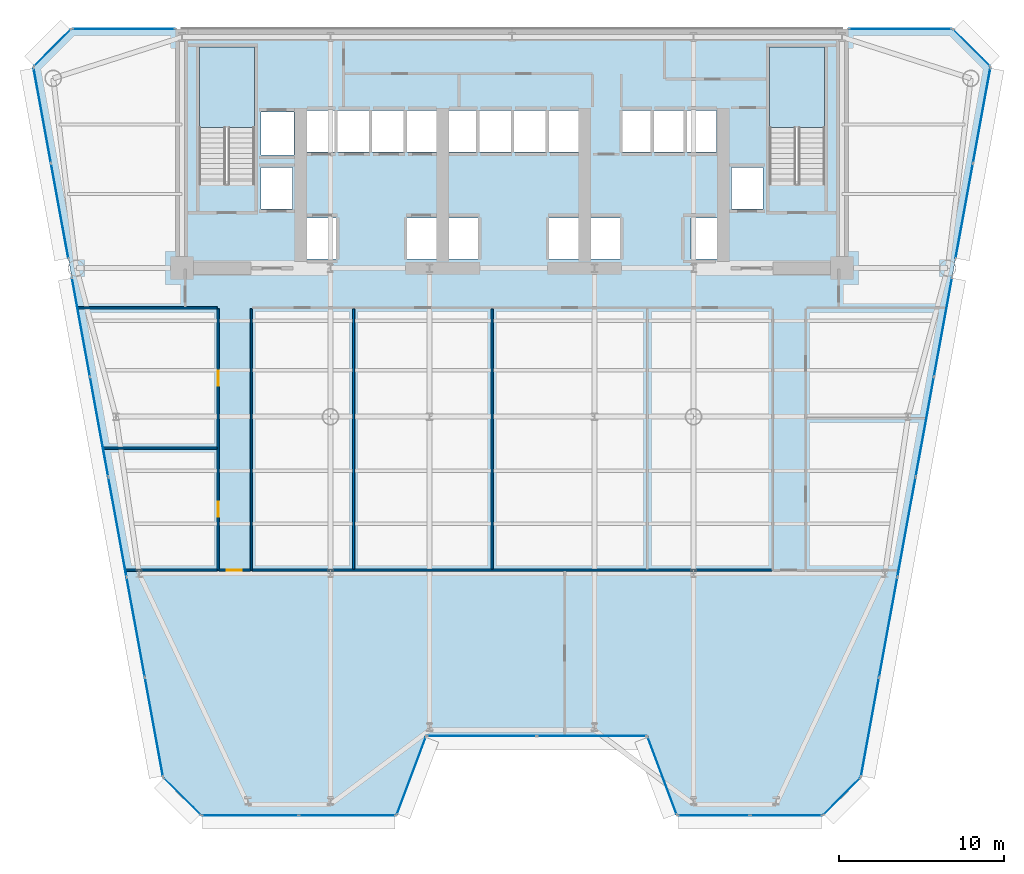
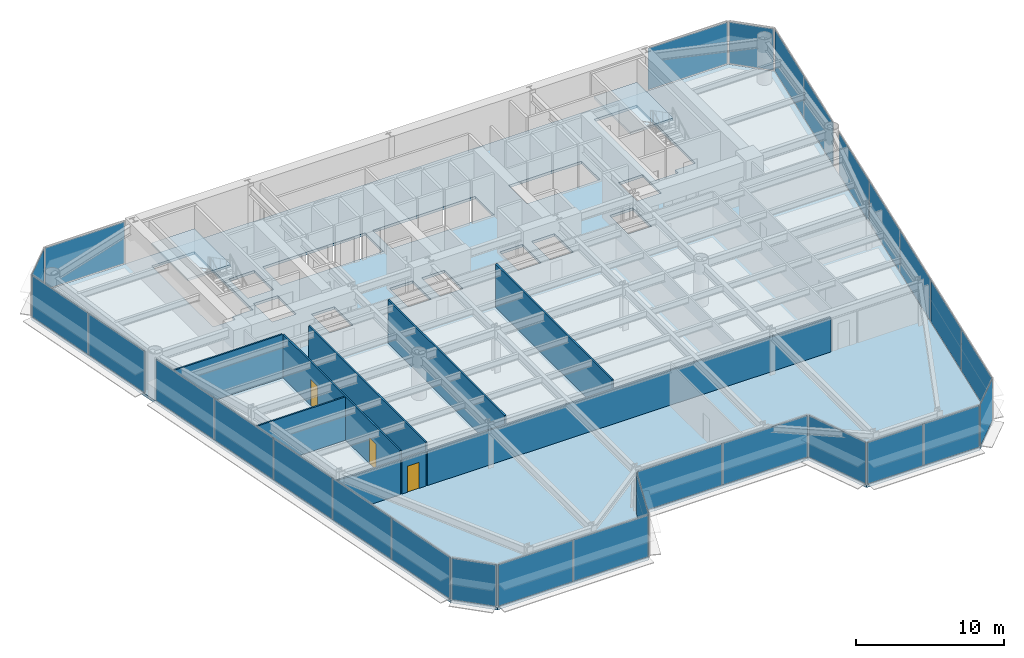
# One storey, part 7 of 14: 28 plates, 9 walls, 3 doors, 3 slabs, 3 openings, 17 elements without a shape of their own.
"""IFC4 building model written with IfcOpenShell, lengths in metres."""

from ifc_helpers import new_model, si_unit, direction, frame, frame_2d, origin, origin_2d, place, context, subcontext, project, spatial, polyline, rectangle, outline, extrude, source, transform, mapped, material, layer, layer_set, type_object, element, fill, aggregate, save


model = new_model("IFC4")

# Units and contexts
model_context = context("Model", 3, precision=1e-05, world=origin(), true_north=direction((0.0, 1.0)))
body_context = subcontext(model_context, "Body", "Model", "MODEL_VIEW")
ifc_project = project(units=[si_unit("LENGTHUNIT", "METRE"), si_unit("AREAUNIT", "SQUARE_METRE"), si_unit("VOLUMEUNIT", "CUBIC_METRE"), si_unit("PLANEANGLEUNIT", "RADIAN"), si_unit("MASSUNIT", "GRAM", prefix="KILO")], contexts=[model_context])

# Site, building, storey
site_placement = place(None, origin())
site = spatial("IfcSite", under=ifc_project, at=site_placement, CompositionType="ELEMENT")
building_placement = place(site_placement, origin())
building = spatial("IfcBuilding", under=site, at=building_placement, Name="Vaeldorn Concourse Tower", CompositionType="ELEMENT")
storey_placement = place(building_placement, frame((0.0, 0.0, 92.0)))
storey = spatial("IfcBuildingStorey", under=building, at=storey_placement, Name="L23", CompositionType="ELEMENT", Elevation=92.0)

# Stair, slab
ifc_material_1 = material(Name="Precast concrete C40/50", Category="concrete")
stair_type = type_object("IfcStairType", Name="STR-DOG-24x158", PredefinedType="HALF_TURN_STAIR", material=ifc_material_1)
stair_1_placement = place(storey_placement, origin())
stair_1 = element("IfcStair", 1, at=stair_1_placement, inside=storey, type_object=stair_type, Name="L23 West Core Exit Stair ST-1", PredefinedType="HALF_TURN_STAIR")
ifc_material_2 = material(Name="Concrete C40/50", Category="concrete")
ifc_layer_1 = layer(ifc_material_2, 0.199951171875)
ifc_layer_set_1 = layer_set([ifc_layer_1], Name="Concrete C40/50")
slab_type_1 = type_object("IfcSlabType", Name="SL-STAIR-LANDING", PredefinedType="LANDING", material=ifc_layer_set_1)
slab_1_placement = place(storey_placement, frame((0.0, 0.0, 1.699951171875)))
slab_1 = element("IfcSlab", 2, at=slab_1_placement, type_object=slab_type_1, Name="ST-1 landing 1", PredefinedType="LANDING", context=body_context, shape_type="SweptSolid", body=[
    extrude(outline(polyline([(18.39990234375, 45.010009765625), (18.39990234375, 49.89990234375), (15.050048828125, 49.89990234375), (15.050048828125, 45.010009765625), (18.39990234375, 45.010009765625)])), origin(), (0.0, 0.0, 1.0), 0.199951171875),
])
aggregate(stair_1, [slab_1])

stair_2_placement = place(storey_placement, origin())
stair_2 = element("IfcStair", 3, at=stair_2_placement, inside=storey, type_object=stair_type, Name="L23 East Core Exit Stair ST-2", PredefinedType="HALF_TURN_STAIR")
slab_2_placement = place(storey_placement, frame((0.0, 0.0, 1.699951171875)))
slab_2 = element("IfcSlab", 4, at=slab_2_placement, type_object=slab_type_1, Name="ST-2 landing 1", PredefinedType="LANDING", context=body_context, shape_type="SweptSolid", body=[
    extrude(outline(polyline([(52.949951171875, 45.010009765625), (52.949951171875, 49.89990234375), (49.60009765625, 49.89990234375), (49.60009765625, 45.010009765625), (52.949951171875, 45.010009765625)])), origin(), (0.0, 0.0, 1.0), 0.199951171875),
])
aggregate(stair_2, [slab_2])

# Slab
ifc_layer_2 = layer(ifc_material_2, 0.219970703125)
ifc_layer_set_2 = layer_set([ifc_layer_2], Name="Concrete C40/50")
slab_type_2 = type_object("IfcSlabType", Name="SL-TYP-220", PredefinedType="FLOOR", material=ifc_layer_set_2)
slab_3_placement = place(storey_placement, frame((0.0, 0.0, -0.219970703125)))
element("IfcSlab", 5, at=slab_3_placement, inside=storey, type_object=slab_type_2, Name="Structural Floor Slab L23", PredefinedType="FLOOR", context=body_context, shape_type="SweptSolid", body=[
    extrude(outline(polyline([(15.16259765625, 3.34716796875), (27.0, 3.34716796875), (28.800048828125, 8.147216796875), (42.199951171875, 8.147216796875), (44.0, 3.34716796875), (52.83740234375, 3.34716796875), (55.13720703125, 5.647216796875), (63.0, 48.699951171875), (60.699951171875, 51.0), (7.300048828125, 51.0), (5.0, 48.699951171875), (12.86279296875, 5.647216796875), (15.16259765625, 3.34716796875)]), holes=[polyline([(18.39990234375, 42.0), (18.39990234375, 49.89990234375), (15.050048828125, 49.89990234375), (15.050048828125, 41.60009765625), (16.800048828125, 41.60009765625), (16.800048828125, 42.0), (18.39990234375, 42.0)]), polyline([(52.949951171875, 42.0), (52.949951171875, 49.89990234375), (49.60009765625, 49.89990234375), (49.60009765625, 41.60009765625), (51.35009765625, 41.60009765625), (51.35009765625, 42.0), (52.949951171875, 42.0)]), polyline([(21.550048828125, 37.050048828125), (23.35009765625, 37.050048828125), (23.35009765625, 39.550048828125), (21.550048828125, 39.550048828125), (21.550048828125, 37.050048828125)]), polyline([(27.64990234375, 37.050048828125), (29.449951171875, 37.050048828125), (29.449951171875, 39.550048828125), (27.64990234375, 39.550048828125), (27.64990234375, 37.050048828125)]), polyline([(21.5, 43.550048828125), (29.5, 43.550048828125), (29.5, 46.050048828125), (21.5, 46.050048828125), (21.5, 43.550048828125)]), polyline([(30.14990234375, 37.050048828125), (31.949951171875, 37.050048828125), (31.949951171875, 39.550048828125), (30.14990234375, 39.550048828125), (30.14990234375, 37.050048828125)]), polyline([(36.25, 37.050048828125), (38.050048828125, 37.050048828125), (38.050048828125, 39.550048828125), (36.25, 39.550048828125), (36.25, 37.050048828125)]), polyline([(30.10009765625, 43.550048828125), (38.10009765625, 43.550048828125), (38.10009765625, 46.050048828125), (30.10009765625, 46.050048828125), (30.10009765625, 43.550048828125)]), polyline([(38.75, 37.050048828125), (40.550048828125, 37.050048828125), (40.550048828125, 39.550048828125), (38.75, 39.550048828125), (38.75, 37.050048828125)]), polyline([(44.85009765625, 37.050048828125), (46.64990234375, 37.050048828125), (46.64990234375, 39.550048828125), (44.85009765625, 39.550048828125), (44.85009765625, 37.050048828125)]), polyline([(40.699951171875, 43.550048828125), (46.39990234375, 43.550048828125), (46.39990234375, 46.050048828125), (40.699951171875, 46.050048828125), (40.699951171875, 43.550048828125)]), polyline([(18.800048828125, 43.35009765625), (20.800048828125, 43.35009765625), (20.800048828125, 45.949951171875), (18.800048828125, 45.949951171875), (18.800048828125, 43.35009765625)]), polyline([(18.800048828125, 40.10009765625), (20.699951171875, 40.10009765625), (20.699951171875, 42.60009765625), (18.800048828125, 42.60009765625), (18.800048828125, 40.10009765625)]), polyline([(47.300048828125, 40.10009765625), (49.199951171875, 40.10009765625), (49.199951171875, 42.60009765625), (47.300048828125, 42.60009765625), (47.300048828125, 40.10009765625)])]), origin(), (0.0, 0.0, 1.0), 0.219970703125),
])

# Curtain wall, plate
ifc_material_3 = material(Name="Anodised Bronze Aluminium", Category="aluminium")
ifc_layer_3 = layer(ifc_material_3, 0.199951171875)
ifc_layer_set_3 = layer_set([ifc_layer_3], Name="Anodised Bronze Aluminium")
curtain_wall_type = type_object("IfcCurtainWallType", Name="CW-SYS-02", PredefinedType="NOTDEFINED", material=ifc_layer_set_3)
curtain_wall_1_placement = place(storey_placement, origin())
curtain_wall_1 = element("IfcCurtainWall", 6, at=curtain_wall_1_placement, inside=storey, type_object=curtain_wall_type, Name="Unitised Curtain Wall CW-L23-E02-1", PredefinedType="NOTDEFINED")
ifc_material_4 = material(Name="Bronze Tinted Low-E Insulated Glass", Category="glass")
ifc_layer_4 = layer(ifc_material_4, 0.031982421875)
ifc_layer_set_4 = layer_set([ifc_layer_4], Name="Bronze Tinted Low-E Insulated Glass")
plate_type = type_object("IfcPlateType", Name="CWP-VISION-32", PredefinedType="CURTAIN_PANEL", material=ifc_layer_set_4)
shared_shape_1 = source(origin(), body_context, "Body", "SweptSolid", [
    extrude(rectangle(XDim=4.976318359375, YDim=0.031982421875, at=origin_2d()), origin(), (0.0, 0.0, 1.0), 3.429931640625),
])
plate_1_placement = place(storey_placement, frame((27.89990234375, 5.7470703125, 0.0751953125), z_axis=(0.0, 0.0, 1.0), x_axis=(0.351123441595, 0.936329177566, 0.0)))
plate_1 = element("IfcPlate", 7, at=plate_1_placement, type_object=plate_type, Name="CW-02 panel 1.1", PredefinedType="CURTAIN_PANEL", context=body_context, shape_type="MappedRepresentation", body=[
    mapped(shared_shape_1, transform((0.0, 0.0, 0.0), scale=1.0)),
])
aggregate(curtain_wall_1, [plate_1])

curtain_wall_2_placement = place(storey_placement, origin())
curtain_wall_2 = element("IfcCurtainWall", 8, at=curtain_wall_2_placement, inside=storey, type_object=curtain_wall_type, Name="Unitised Curtain Wall CW-L23-E04-1", PredefinedType="NOTDEFINED")
plate_2_placement = place(storey_placement, frame((43.10009765625, 5.7470703125, 0.0751953125), z_axis=(0.0, 0.0, 1.0), x_axis=(0.351123441595, -0.936329177566, 0.0)))
plate_2 = element("IfcPlate", 9, at=plate_2_placement, type_object=plate_type, Name="CW-02 panel 1.1", PredefinedType="CURTAIN_PANEL", context=body_context, shape_type="MappedRepresentation", body=[
    mapped(shared_shape_1, transform((0.0, 0.0, 0.0), scale=1.0)),
])
aggregate(curtain_wall_2, [plate_2])

# Curtain wall, plates
curtain_wall_3_placement = place(storey_placement, origin())
curtain_wall_3 = element("IfcCurtainWall", 10, at=curtain_wall_3_placement, inside=storey, type_object=curtain_wall_type, Name="Unitised Curtain Wall CW-L23-E03-1", PredefinedType="NOTDEFINED")
shared_shape_2 = source(origin(), body_context, "Body", "SweptSolid", [
    extrude(rectangle(XDim=6.58740234375, YDim=0.031982421875, at=origin_2d()), origin(), (0.0, 0.0, 1.0), 3.429931640625),
])
plate_3_placement = place(storey_placement, frame((32.168701171875, 8.147216796875, 0.0751953125), z_axis=(0.0, 0.0, 1.0), x_axis=(1.0, 0.0, 0.0)))
plate_3 = element("IfcPlate", 11, at=plate_3_placement, type_object=plate_type, Name="CW-02 panel 1.1", PredefinedType="CURTAIN_PANEL", context=body_context, shape_type="MappedRepresentation", body=[
    mapped(shared_shape_2, transform((0.0, 0.0, 0.0), scale=1.0)),
])
plate_4_placement = place(storey_placement, frame((38.831298828125, 8.147216796875, 0.0751953125), z_axis=(0.0, 0.0, 1.0), x_axis=(1.0, 0.0, 0.0)))
plate_4 = element("IfcPlate", 12, at=plate_4_placement, type_object=plate_type, Name="CW-02 panel 2.1", PredefinedType="CURTAIN_PANEL", context=body_context, shape_type="MappedRepresentation", body=[
    mapped(shared_shape_2, transform((0.0, 0.0, 0.0), scale=1.0)),
])
aggregate(curtain_wall_3, [plate_3, plate_4])

# Curtain wall, plate
curtain_wall_4_placement = place(storey_placement, origin())
curtain_wall_4 = element("IfcCurtainWall", 13, at=curtain_wall_4_placement, inside=storey, type_object=curtain_wall_type, Name="Unitised Curtain Wall CW-L23-E06-1", PredefinedType="NOTDEFINED")
shared_shape_3 = source(origin(), body_context, "Body", "SweptSolid", [
    extrude(rectangle(XDim=3.102783203125, YDim=0.031982421875, at=origin_2d()), origin(), (0.0, 0.0, 1.0), 3.429931640625),
])
plate_5_placement = place(storey_placement, frame((53.9873046875, 4.4970703125, 0.0751953125), z_axis=(0.0, 0.0, 1.0), x_axis=(0.707106781187, 0.707106781187, 0.0)))
plate_5 = element("IfcPlate", 14, at=plate_5_placement, type_object=plate_type, Name="CW-02 panel 1.1", PredefinedType="CURTAIN_PANEL", context=body_context, shape_type="MappedRepresentation", body=[
    mapped(shared_shape_3, transform((0.0, 0.0, 0.0), scale=1.0)),
])
aggregate(curtain_wall_4, [plate_5])

curtain_wall_5_placement = place(storey_placement, origin())
curtain_wall_5 = element("IfcCurtainWall", 15, at=curtain_wall_5_placement, inside=storey, type_object=curtain_wall_type, Name="Unitised Curtain Wall CW-L23-E08-1", PredefinedType="NOTDEFINED")
plate_6_placement = place(storey_placement, frame((61.85009765625, 49.85009765625, 0.0751953125), z_axis=(0.0, 0.0, 1.0), x_axis=(-0.707106781187, 0.707106781187, 0.0)))
plate_6 = element("IfcPlate", 16, at=plate_6_placement, type_object=plate_type, Name="CW-02 panel 1.1", PredefinedType="CURTAIN_PANEL", context=body_context, shape_type="MappedRepresentation", body=[
    mapped(shared_shape_3, transform((0.0, 0.0, 0.0), scale=1.0)),
])
aggregate(curtain_wall_5, [plate_6])

curtain_wall_6_placement = place(storey_placement, origin())
curtain_wall_6 = element("IfcCurtainWall", 17, at=curtain_wall_6_placement, inside=storey, type_object=curtain_wall_type, Name="Unitised Curtain Wall CW-L23-E10-1", PredefinedType="NOTDEFINED")
plate_7_placement = place(storey_placement, frame((6.14990234375, 49.85009765625, 0.0751953125), z_axis=(0.0, 0.0, 1.0), x_axis=(-0.707106781187, -0.707106781187, 0.0)))
plate_7 = element("IfcPlate", 18, at=plate_7_placement, type_object=plate_type, Name="CW-02 panel 1.1", PredefinedType="CURTAIN_PANEL", context=body_context, shape_type="MappedRepresentation", body=[
    mapped(shared_shape_3, transform((0.0, 0.0, 0.0), scale=1.0)),
])
aggregate(curtain_wall_6, [plate_7])

curtain_wall_7_placement = place(storey_placement, origin())
curtain_wall_7 = element("IfcCurtainWall", 19, at=curtain_wall_7_placement, inside=storey, type_object=curtain_wall_type, Name="Unitised Curtain Wall CW-L23-E12-1", PredefinedType="NOTDEFINED")
plate_8_placement = place(storey_placement, frame((14.0126953125, 4.4970703125, 0.0751953125), z_axis=(0.0, 0.0, 1.0), x_axis=(0.707106781187, -0.707106781187, 0.0)))
plate_8 = element("IfcPlate", 20, at=plate_8_placement, type_object=plate_type, Name="CW-02 panel 1.1", PredefinedType="CURTAIN_PANEL", context=body_context, shape_type="MappedRepresentation", body=[
    mapped(shared_shape_3, transform((0.0, 0.0, 0.0), scale=1.0)),
])
aggregate(curtain_wall_7, [plate_8])

# Curtain wall, plates
curtain_wall_8_placement = place(storey_placement, origin())
curtain_wall_8 = element("IfcCurtainWall", 21, at=curtain_wall_8_placement, inside=storey, type_object=curtain_wall_type, Name="Unitised Curtain Wall CW-L23-E01-1", PredefinedType="NOTDEFINED")
shared_shape_4 = source(origin(), body_context, "Body", "SweptSolid", [
    extrude(rectangle(XDim=5.80615234375, YDim=0.031982421875, at=origin_2d()), origin(), (0.0, 0.0, 1.0), 3.429931640625),
])
plate_9_placement = place(storey_placement, frame((18.140869140625, 3.34716796875, 0.0751953125), z_axis=(0.0, 0.0, 1.0), x_axis=(1.0, 0.0, 0.0)))
plate_9 = element("IfcPlate", 22, at=plate_9_placement, type_object=plate_type, Name="CW-02 panel 1.1", PredefinedType="CURTAIN_PANEL", context=body_context, shape_type="MappedRepresentation", body=[
    mapped(shared_shape_4, transform((0.0, 0.0, 0.0), scale=1.0)),
])
plate_10_placement = place(storey_placement, frame((24.02197265625, 3.34716796875, 0.0751953125), z_axis=(0.0, 0.0, 1.0), x_axis=(1.0, 0.0, 0.0)))
plate_10 = element("IfcPlate", 23, at=plate_10_placement, type_object=plate_type, Name="CW-02 panel 2.1", PredefinedType="CURTAIN_PANEL", context=body_context, shape_type="MappedRepresentation", body=[
    mapped(shared_shape_4, transform((0.0, 0.0, 0.0), scale=1.0)),
])
aggregate(curtain_wall_8, [plate_9, plate_10])

curtain_wall_9_placement = place(storey_placement, origin())
curtain_wall_9 = element("IfcCurtainWall", 24, at=curtain_wall_9_placement, inside=storey, type_object=curtain_wall_type, Name="Unitised Curtain Wall CW-L23-E05-1", PredefinedType="NOTDEFINED")
shared_shape_5 = source(origin(), body_context, "Body", "SweptSolid", [
    extrude(rectangle(XDim=4.30615234375, YDim=0.031982421875, at=origin_2d()), origin(), (0.0, 0.0, 1.0), 3.429931640625),
])
plate_11_placement = place(storey_placement, frame((46.22802734375, 3.34716796875, 0.0751953125), z_axis=(0.0, 0.0, 1.0), x_axis=(1.0, 0.0, 0.0)))
plate_11 = element("IfcPlate", 25, at=plate_11_placement, type_object=plate_type, Name="CW-02 panel 1.1", PredefinedType="CURTAIN_PANEL", context=body_context, shape_type="MappedRepresentation", body=[
    mapped(shared_shape_5, transform((0.0, 0.0, 0.0), scale=1.0)),
])
plate_12_placement = place(storey_placement, frame((50.609130859375, 3.34716796875, 0.0751953125), z_axis=(0.0, 0.0, 1.0), x_axis=(1.0, 0.0, 0.0)))
plate_12 = element("IfcPlate", 26, at=plate_12_placement, type_object=plate_type, Name="CW-02 panel 2.1", PredefinedType="CURTAIN_PANEL", context=body_context, shape_type="MappedRepresentation", body=[
    mapped(shared_shape_5, transform((0.0, 0.0, 0.0), scale=1.0)),
])
aggregate(curtain_wall_9, [plate_11, plate_12])

curtain_wall_10_placement = place(storey_placement, origin())
curtain_wall_10 = element("IfcCurtainWall", 27, at=curtain_wall_10_placement, inside=storey, type_object=curtain_wall_type, Name="Unitised Curtain Wall CW-L23-E07-2", PredefinedType="NOTDEFINED")
shared_shape_6 = source(origin(), body_context, "Body", "SweptSolid", [
    extrude(rectangle(XDim=5.8251953125, YDim=0.031982421875, at=origin_2d()), origin(), (0.0, 0.0, 1.0), 3.429931640625),
])
plate_13_placement = place(storey_placement, frame((61.4033203125, 39.95703125, 0.0751953125), z_axis=(0.0, 0.0, 1.0), x_axis=(0.179659768174, 0.983728808005, 0.0)))
plate_13 = element("IfcPlate", 28, at=plate_13_placement, type_object=plate_type, Name="CW-02 panel 1.1", PredefinedType="CURTAIN_PANEL", context=body_context, shape_type="MappedRepresentation", body=[
    mapped(shared_shape_6, transform((0.0, 0.0, 0.0), scale=1.0)),
])
plate_14_placement = place(storey_placement, frame((62.463134765625, 45.760986328125, 0.0751953125), z_axis=(0.0, 0.0, 1.0), x_axis=(0.179659768174, 0.983728808005, 0.0)))
plate_14 = element("IfcPlate", 29, at=plate_14_placement, type_object=plate_type, Name="CW-02 panel 2.1", PredefinedType="CURTAIN_PANEL", context=body_context, shape_type="MappedRepresentation", body=[
    mapped(shared_shape_6, transform((0.0, 0.0, 0.0), scale=1.0)),
])
aggregate(curtain_wall_10, [plate_13, plate_14])

curtain_wall_11_placement = place(storey_placement, origin())
curtain_wall_11 = element("IfcCurtainWall", 30, at=curtain_wall_11_placement, inside=storey, type_object=curtain_wall_type, Name="Unitised Curtain Wall CW-L23-E11-1", PredefinedType="NOTDEFINED")
plate_15_placement = place(storey_placement, frame((5.536865234375, 45.760986328125, 0.0751953125), z_axis=(0.0, 0.0, 1.0), x_axis=(0.179659768174, -0.983728808005, 0.0)))
plate_15 = element("IfcPlate", 31, at=plate_15_placement, type_object=plate_type, Name="CW-02 panel 1.1", PredefinedType="CURTAIN_PANEL", context=body_context, shape_type="MappedRepresentation", body=[
    mapped(shared_shape_6, transform((0.0, 0.0, 0.0), scale=1.0)),
])
plate_16_placement = place(storey_placement, frame((6.5966796875, 39.95703125, 0.0751953125), z_axis=(0.0, 0.0, 1.0), x_axis=(0.179659768174, -0.983728808005, 0.0)))
plate_16 = element("IfcPlate", 32, at=plate_16_placement, type_object=plate_type, Name="CW-02 panel 2.1", PredefinedType="CURTAIN_PANEL", context=body_context, shape_type="MappedRepresentation", body=[
    mapped(shared_shape_6, transform((0.0, 0.0, 0.0), scale=1.0)),
])
aggregate(curtain_wall_11, [plate_15, plate_16])

# Curtain wall, plate
curtain_wall_12_placement = place(storey_placement, origin())
curtain_wall_12 = element("IfcCurtainWall", 33, at=curtain_wall_12_placement, inside=storey, type_object=curtain_wall_type, Name="Unitised Curtain Wall CW-L23-E09-1", PredefinedType="NOTDEFINED")
shared_shape_7 = source(origin(), body_context, "Body", "SweptSolid", [
    extrude(rectangle(XDim=6.179931640625, YDim=0.031982421875, at=origin_2d()), origin(), (0.0, 0.0, 1.0), 3.429931640625),
])
plate_17_placement = place(storey_placement, frame((57.534912109375, 51.0, 0.0751953125), z_axis=(0.0, 0.0, 1.0), x_axis=(-1.0, 0.0, 0.0)))
plate_17 = element("IfcPlate", 34, at=plate_17_placement, type_object=plate_type, Name="CW-02 panel 1.1", PredefinedType="CURTAIN_PANEL", context=body_context, shape_type="MappedRepresentation", body=[
    mapped(shared_shape_7, transform((0.0, 0.0, 0.0), scale=1.0)),
])
aggregate(curtain_wall_12, [plate_17])

curtain_wall_13_placement = place(storey_placement, origin())
curtain_wall_13 = element("IfcCurtainWall", 35, at=curtain_wall_13_placement, inside=storey, type_object=curtain_wall_type, Name="Unitised Curtain Wall CW-L23-E09-2", PredefinedType="NOTDEFINED")
plate_18_placement = place(storey_placement, frame((10.465087890625, 51.0, 0.0751953125), z_axis=(0.0, 0.0, 1.0), x_axis=(-1.0, 0.0, 0.0)))
plate_18 = element("IfcPlate", 36, at=plate_18_placement, type_object=plate_type, Name="CW-02 panel 1.1", PredefinedType="CURTAIN_PANEL", context=body_context, shape_type="MappedRepresentation", body=[
    mapped(shared_shape_7, transform((0.0, 0.0, 0.0), scale=1.0)),
])
aggregate(curtain_wall_13, [plate_18])

# Curtain wall, plates
curtain_wall_14_placement = place(storey_placement, origin())
curtain_wall_14 = element("IfcCurtainWall", 37, at=curtain_wall_14_placement, inside=storey, type_object=curtain_wall_type, Name="Unitised Curtain Wall CW-L23-E07-1", PredefinedType="NOTDEFINED")
shared_shape_8 = source(origin(), body_context, "Body", "SweptSolid", [
    extrude(rectangle(XDim=6.054931640625, YDim=0.031982421875, at=origin_2d()), origin(), (0.0, 0.0, 1.0), 3.429931640625),
])
plate_19_placement = place(storey_placement, frame((55.694580078125, 8.698974609375, 0.0751953125), z_axis=(0.0, 0.0, 1.0), x_axis=(0.179656466224, 0.983729411039, 0.0)))
plate_19 = element("IfcPlate", 38, at=plate_19_placement, type_object=plate_type, Name="CW-02 panel 1.1", PredefinedType="CURTAIN_PANEL", context=body_context, shape_type="MappedRepresentation", body=[
    mapped(shared_shape_8, transform((0.0, 0.0, 0.0), scale=1.0)),
])
plate_20_placement = place(storey_placement, frame((60.119873046875, 32.93017578125, 0.0751953125), z_axis=(0.0, 0.0, 1.0), x_axis=(0.179656466224, 0.983729411039, 0.0)))
plate_20 = element("IfcPlate", 39, at=plate_20_placement, type_object=plate_type, Name="CW-02 panel 5.1", PredefinedType="CURTAIN_PANEL", context=body_context, shape_type="MappedRepresentation", body=[
    mapped(shared_shape_8, transform((0.0, 0.0, 0.0), scale=1.0)),
])

curtain_wall_15_placement = place(storey_placement, origin())
curtain_wall_15 = element("IfcCurtainWall", 40, at=curtain_wall_15_placement, inside=storey, type_object=curtain_wall_type, Name="Unitised Curtain Wall CW-L23-E11-2", PredefinedType="NOTDEFINED")
plate_21_placement = place(storey_placement, frame((7.880126953125, 32.93017578125, 0.0751953125), z_axis=(0.0, 0.0, 1.0), x_axis=(0.179656466224, -0.983729411039, 0.0)))
plate_21 = element("IfcPlate", 41, at=plate_21_placement, type_object=plate_type, Name="CW-02 panel 1.1", PredefinedType="CURTAIN_PANEL", context=body_context, shape_type="MappedRepresentation", body=[
    mapped(shared_shape_8, transform((0.0, 0.0, 0.0), scale=1.0)),
])
plate_22_placement = place(storey_placement, frame((12.305419921875, 8.698974609375, 0.0751953125), z_axis=(0.0, 0.0, 1.0), x_axis=(0.179656466224, -0.983729411039, 0.0)))
plate_22 = element("IfcPlate", 42, at=plate_22_placement, type_object=plate_type, Name="CW-02 panel 5.1", PredefinedType="CURTAIN_PANEL", context=body_context, shape_type="MappedRepresentation", body=[
    mapped(shared_shape_8, transform((0.0, 0.0, 0.0), scale=1.0)),
])

# Plate
shared_shape_9 = source(origin(), body_context, "Body", "SweptSolid", [
    extrude(rectangle(XDim=6.09228515625, YDim=0.031982421875, at=origin_2d()), origin(), (0.0, 0.0, 1.0), 3.429931640625),
])
plate_23_placement = place(storey_placement, frame((56.79931640625, 14.74755859375, 0.0751953125), z_axis=(0.0, 0.0, 1.0), x_axis=(0.179656466224, 0.983729411039, 0.0)))
plate_23 = element("IfcPlate", 43, at=plate_23_placement, type_object=plate_type, Name="CW-02 panel 2.1", PredefinedType="CURTAIN_PANEL", context=body_context, shape_type="MappedRepresentation", body=[
    mapped(shared_shape_9, transform((0.0, 0.0, 0.0), scale=1.0)),
])

plate_24_placement = place(storey_placement, frame((57.9072265625, 20.814453125, 0.0751953125), z_axis=(0.0, 0.0, 1.0), x_axis=(0.179656466224, 0.983729411039, 0.0)))
plate_24 = element("IfcPlate", 44, at=plate_24_placement, type_object=plate_type, Name="CW-02 panel 3.1", PredefinedType="CURTAIN_PANEL", context=body_context, shape_type="MappedRepresentation", body=[
    mapped(shared_shape_9, transform((0.0, 0.0, 0.0), scale=1.0)),
])

plate_25_placement = place(storey_placement, frame((59.015380859375, 26.881591796875, 0.0751953125), z_axis=(0.0, 0.0, 1.0), x_axis=(0.179656466224, 0.983729411039, 0.0)))
plate_25 = element("IfcPlate", 45, at=plate_25_placement, type_object=plate_type, Name="CW-02 panel 4.1", PredefinedType="CURTAIN_PANEL", context=body_context, shape_type="MappedRepresentation", body=[
    mapped(shared_shape_9, transform((0.0, 0.0, 0.0), scale=1.0)),
])

aggregate(curtain_wall_14, [plate_19, plate_23, plate_24, plate_25, plate_20])

plate_26_placement = place(storey_placement, frame((8.984619140625, 26.881591796875, 0.0751953125), z_axis=(0.0, 0.0, 1.0), x_axis=(0.179656466224, -0.983729411039, 0.0)))
plate_26 = element("IfcPlate", 46, at=plate_26_placement, type_object=plate_type, Name="CW-02 panel 2.1", PredefinedType="CURTAIN_PANEL", context=body_context, shape_type="MappedRepresentation", body=[
    mapped(shared_shape_9, transform((0.0, 0.0, 0.0), scale=1.0)),
])

plate_27_placement = place(storey_placement, frame((10.0927734375, 20.814453125, 0.0751953125), z_axis=(0.0, 0.0, 1.0), x_axis=(0.179656466224, -0.983729411039, 0.0)))
plate_27 = element("IfcPlate", 47, at=plate_27_placement, type_object=plate_type, Name="CW-02 panel 3.1", PredefinedType="CURTAIN_PANEL", context=body_context, shape_type="MappedRepresentation", body=[
    mapped(shared_shape_9, transform((0.0, 0.0, 0.0), scale=1.0)),
])

plate_28_placement = place(storey_placement, frame((11.20068359375, 14.74755859375, 0.0751953125), z_axis=(0.0, 0.0, 1.0), x_axis=(0.179656466224, -0.983729411039, 0.0)))
plate_28 = element("IfcPlate", 48, at=plate_28_placement, type_object=plate_type, Name="CW-02 panel 4.1", PredefinedType="CURTAIN_PANEL", context=body_context, shape_type="MappedRepresentation", body=[
    mapped(shared_shape_9, transform((0.0, 0.0, 0.0), scale=1.0)),
])

aggregate(curtain_wall_15, [plate_21, plate_26, plate_27, plate_28, plate_22])

# Wall
ifc_material_5 = material(Name="Gypsum Board Partition", Category="gypsum")
ifc_layer_5 = layer(ifc_material_5, 0.1201171875)
ifc_layer_set_5 = layer_set([ifc_layer_5], Name="Gypsum Board Partition")
wall_type = type_object("IfcWallType", Name="WL-PART-120", PredefinedType="PARTITIONING", material=ifc_layer_set_5)
wall_1_placement = place(storey_placement, frame((7.706298828125, 34.10009765625, 0.0), z_axis=(0.0, 0.0, 1.0), x_axis=(1.0, 0.0, 0.0)))
element("IfcWall", 49, at=wall_1_placement, inside=storey, type_object=wall_type, Name="Interior Wall PW-L23-CEWW", PredefinedType="PARTITIONING", context=body_context, shape_type="SweptSolid", body=[
    extrude(rectangle(XDim=8.43359375, YDim=0.1201171875, at=frame_2d((4.216796875, 0.0))), origin(), (0.0, 0.0, 1.0), 3.580078125),
])

# Wall, openings, doors
wall_2_placement = place(storey_placement, frame((16.199951171875, 18.199951171875, 0.0), z_axis=(0.0, 0.0, 1.0), x_axis=(0.0, 1.0, 0.0)))
wall_2 = element("IfcWall", 50, at=wall_2_placement, inside=storey, type_object=wall_type, Name="Interior Wall PW-L23-CWW", PredefinedType="PARTITIONING", context=body_context, shape_type="SweptSolid", body=[
    extrude(rectangle(XDim=15.840087890625, YDim=0.1201171875, at=frame_2d((7.919921875, 0.0))), origin(), (0.0, 0.0, 1.0), 3.580078125),
])
opening_1_placement = place(wall_2_placement, frame((3.25, 0.0, 0.0)))
opening_1 = element("IfcOpeningElement", 51, at=opening_1_placement, cuts=wall_2, Name="Opening D-03", PredefinedType="OPENING", context=body_context, shape_type="SweptSolid", body=[
    extrude(rectangle(XDim=0.89990234375, YDim=2.14990234375, at=frame_2d((0.449951171875, 1.074951171875))), frame((0.0, 0.070068359375, 0.0), z_axis=(0.0, -1.0, 0.0), x_axis=(1.0, 0.0, 0.0)), (0.0, 0.0, 1.0), 0.14013671875),
])
opening_2_placement = place(wall_2_placement, frame((11.169921875, 0.0, 0.0)))
opening_2 = element("IfcOpeningElement", 52, at=opening_2_placement, cuts=wall_2, Name="Opening D-03", PredefinedType="OPENING", context=body_context, shape_type="SweptSolid", body=[
    extrude(rectangle(XDim=0.89990234375, YDim=2.14990234375, at=frame_2d((0.449951171875, 1.074951171875))), frame((0.0, 0.070068359375, 0.0), z_axis=(0.0, -1.0, 0.0), x_axis=(1.0, 0.0, 0.0)), (0.0, 0.0, 1.0), 0.14013671875),
])
ifc_material_6 = material(Name="Acoustic Bronze-Framed Glass Door", Category="glass")
door_type = type_object("IfcDoorType", Name="DR-INT-900", OperationType="NOTDEFINED", PredefinedType="DOOR", material=ifc_material_6)
shared_shape_10 = source(origin(), body_context, "Body", "SweptSolid", [
    extrude(rectangle(XDim=0.89990234375, YDim=2.14990234375, at=frame_2d((0.449951171875, 1.074951171875))), frame((0.0, 0.02490234375, 0.0), z_axis=(0.0, -1.0, 0.0), x_axis=(1.0, 0.0, 0.0)), (0.0, 0.0, 1.0), 0.050048828125),
])
door_1_placement = place(opening_1_placement, origin())
door_1 = element("IfcDoor", 53, at=door_1_placement, inside=storey, type_object=door_type, Name="Interior Door DR-L23-W1", OperationType="SINGLE_SWING_LEFT", OverallHeight=2.14990234375, OverallWidth=0.89990234375, PredefinedType="DOOR", context=body_context, shape_type="MappedRepresentation", body=[
    mapped(shared_shape_10, transform((0.0, 0.0, 0.0), scale=1.0)),
])
fill(opening_1, door_1)
door_2_placement = place(opening_2_placement, origin())
door_2 = element("IfcDoor", 54, at=door_2_placement, inside=storey, type_object=door_type, Name="Interior Door DR-L23-W2", OperationType="SINGLE_SWING_RIGHT", OverallHeight=2.14990234375, OverallWidth=0.89990234375, PredefinedType="DOOR", context=body_context, shape_type="MappedRepresentation", body=[
    mapped(shared_shape_10, transform((0.0, 0.0, 0.0), scale=1.0)),
])
fill(opening_2, door_2)

# Wall
wall_3_placement = place(storey_placement, frame((18.199951171875, 18.199951171875, 0.0), z_axis=(0.0, 0.0, 1.0), x_axis=(0.0, 1.0, 0.0)))
element("IfcWall", 55, at=wall_3_placement, inside=storey, type_object=wall_type, Name="Interior Wall PW-L23-CWE", PredefinedType="PARTITIONING", context=body_context, shape_type="SweptSolid", body=[
    extrude(rectangle(XDim=15.840087890625, YDim=0.1201171875, at=frame_2d((7.919921875, 0.0))), origin(), (0.0, 0.0, 1.0), 3.580078125),
])

# Wall, opening, door
wall_4_placement = place(storey_placement, frame((16.260009765625, 18.199951171875, 0.0), z_axis=(0.0, 0.0, 1.0), x_axis=(1.0, 0.0, 0.0)))
wall_4 = element("IfcWall", 56, at=wall_4_placement, inside=storey, type_object=wall_type, Name="Interior Wall PW-L23-CWS", PredefinedType="PARTITIONING", context=body_context, shape_type="SweptSolid", body=[
    extrude(rectangle(XDim=1.8798828125, YDim=0.1201171875, at=frame_2d((0.93994140625, 0.0))), origin(), (0.0, 0.0, 1.0), 2.8701171875),
])
opening_3_placement = place(wall_4_placement, frame((0.449951171875, 0.0, 0.0)))
opening_3 = element("IfcOpeningElement", 57, at=opening_3_placement, cuts=wall_4, Name="Opening D-03", PredefinedType="OPENING", context=body_context, shape_type="SweptSolid", body=[
    extrude(rectangle(XDim=0.89990234375, YDim=2.14990234375, at=frame_2d((0.449951171875, 1.074951171875))), frame((0.0, 0.070068359375, 0.0), z_axis=(0.0, -1.0, 0.0), x_axis=(1.0, 0.0, 0.0)), (0.0, 0.0, 1.0), 0.14013671875),
])
door_3_placement = place(opening_3_placement, origin())
door_3 = element("IfcDoor", 58, at=door_3_placement, inside=storey, type_object=door_type, Name="Interior Door DR-L23-SWL", OperationType="SINGLE_SWING_LEFT", OverallHeight=2.14990234375, OverallWidth=0.89990234375, PredefinedType="DOOR", context=body_context, shape_type="MappedRepresentation", body=[
    mapped(shared_shape_10, transform((0.0, 0.0, 0.0), scale=1.0)),
])
fill(opening_3, door_3)

# Walls
wall_5_placement = place(storey_placement, frame((10.610107421875, 18.199951171875, 0.0), z_axis=(0.0, 0.0, 1.0), x_axis=(1.0, 0.0, 0.0)))
element("IfcWall", 59, at=wall_5_placement, inside=storey, type_object=wall_type, Name="Interior Wall PW-L23-WY0", PredefinedType="PARTITIONING", context=body_context, shape_type="SweptSolid", body=[
    extrude(rectangle(XDim=5.52978515625, YDim=0.1201171875, at=frame_2d((2.764892578125, 0.0))), origin(), (0.0, 0.0, 1.0), 2.8701171875),
])
wall_6_placement = place(storey_placement, frame((9.2587890625, 25.60009765625, 0.0), z_axis=(0.0, 0.0, 1.0), x_axis=(1.0, 0.0, 0.0)))
element("IfcWall", 60, at=wall_6_placement, inside=storey, type_object=wall_type, Name="Interior Wall PW-L23-WY1", PredefinedType="PARTITIONING", context=body_context, shape_type="SweptSolid", body=[
    extrude(rectangle(XDim=6.881103515625, YDim=0.1201171875, at=frame_2d((3.4404296875, 0.0))), origin(), (0.0, 0.0, 1.0), 3.580078125),
])
wall_7_placement = place(storey_placement, frame((18.260009765625, 18.199951171875, 0.0), z_axis=(0.0, 0.0, 1.0), x_axis=(1.0, 0.0, 0.0)))
element("IfcWall", 61, at=wall_7_placement, inside=storey, type_object=wall_type, Name="Interior Wall PW-L23-HUBS", PredefinedType="PARTITIONING", context=body_context, shape_type="SweptSolid", body=[
    extrude(rectangle(XDim=31.47998046875, YDim=0.1201171875, at=frame_2d((15.739990234375, 0.0))), origin(), (0.0, 0.0, 1.0), 2.8701171875),
])
for number, where, z_axis, x_axis, name in (
    (62, (24.39990234375, 18.260009765625, 0.0), (0.0, 0.0, 1.0), (0.0, 1.0, 0.0), "Interior Wall PW-L23-HX1"),
    (63, (32.800048828125, 18.260009765625, 0.0), (0.0, 0.0, 1.0), (0.0, 1.0, 0.0), "Interior Wall PW-L23-HX2"),
):
    element("IfcWall", number, at=place(storey_placement, frame(where, z_axis=z_axis, x_axis=x_axis)), inside=storey, type_object=wall_type, Name=name, PredefinedType="PARTITIONING", context=body_context, shape_type="SweptSolid", body=[
        extrude(rectangle(XDim=15.780029296875, YDim=0.1201171875, at=frame_2d((7.89013671875, 0.0))), origin(), (0.0, 0.0, 1.0), 3.580078125),
    ])

save(model, "model.ifc")
